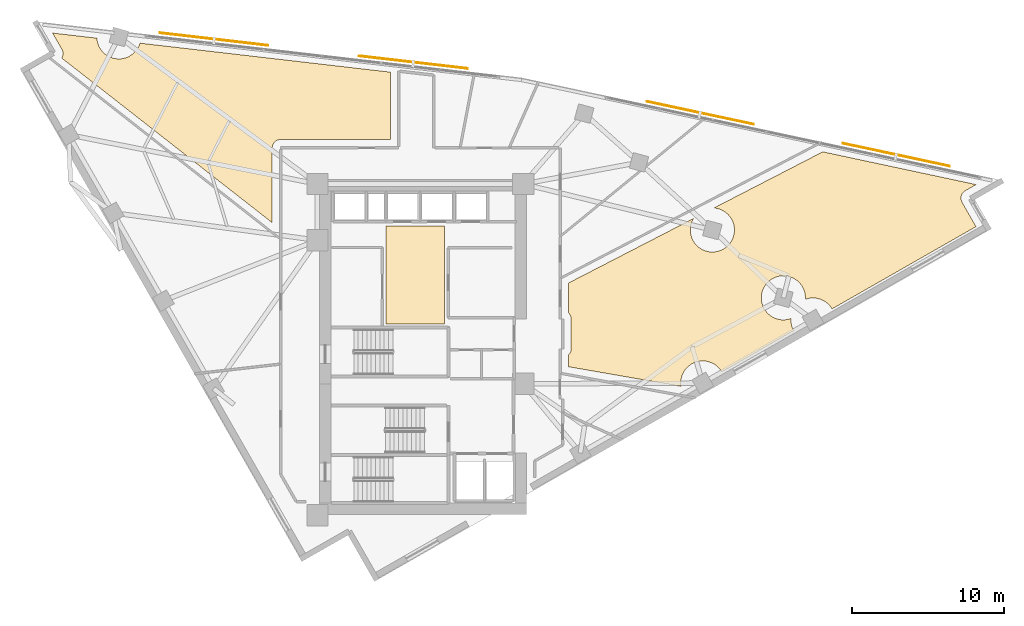
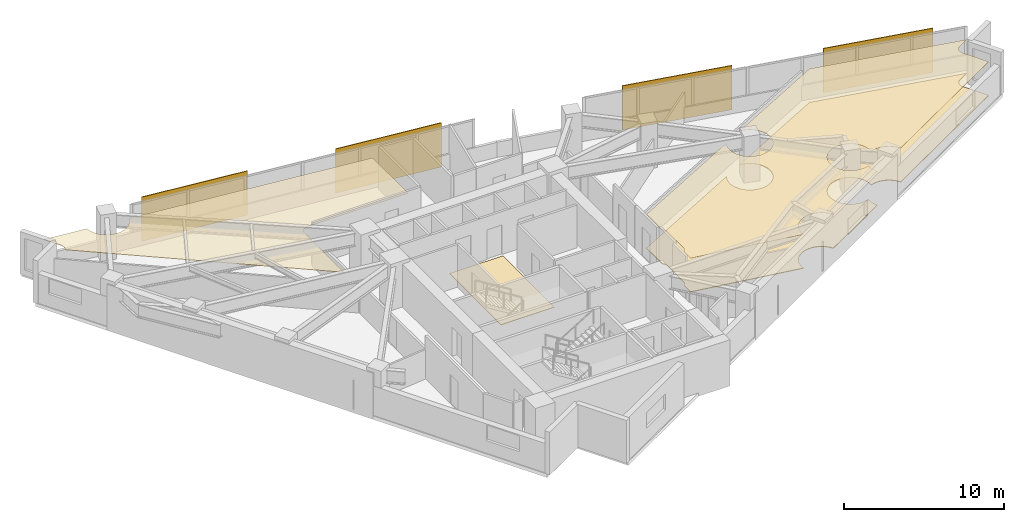
# One storey, part 13 of 13: 4 coverings, 4 shading devices.
"""IFC4 building model written with IfcOpenShell, lengths in metres."""

from ifc_helpers import new_model, si_unit, direction, frame, origin, origin_2d, place, context, subcontext, project, spatial, polyline, rectangle, outline, extrude, material, layer, layer_set, type_object, element, save


model = new_model("IFC4")

# Units and contexts
model_context = context("Model", 3, precision=1e-05, world=origin(), true_north=direction((0.0, 1.0)))
body_context = subcontext(model_context, "Body", "Model", "MODEL_VIEW")
ifc_project = project(units=[si_unit("LENGTHUNIT", "METRE"), si_unit("AREAUNIT", "SQUARE_METRE"), si_unit("VOLUMEUNIT", "CUBIC_METRE"), si_unit("PLANEANGLEUNIT", "RADIAN"), si_unit("MASSUNIT", "GRAM", prefix="KILO")], contexts=[model_context])

# Site, building, storey
site_placement = place(None, origin())
site = spatial("IfcSite", under=ifc_project, at=site_placement, CompositionType="ELEMENT")
building_placement = place(site_placement, origin())
building = spatial("IfcBuilding", under=site, at=building_placement, Name="Narakoshi Arena Tower", CompositionType="ELEMENT")
storey_placement = place(building_placement, frame((0.0, 0.0, 229.06005859375)))
storey = spatial("IfcBuildingStorey", under=building, at=storey_placement, Name="L62", CompositionType="ELEMENT", Elevation=229.06005859375)

# Coverings
ifc_material_1 = material(Name="Acoustic mineral-fibre ceiling tile")
ifc_layer_1 = layer(ifc_material_1, 0.02001953125)
ifc_layer_set_1 = layer_set([ifc_layer_1], Name="Acoustic mineral-fibre ceiling tile")
covering_type_1 = type_object("IfcCoveringType", Name="COV-CLG-AC20", PredefinedType="CEILING", material=ifc_layer_set_1)
covering_1_placement = place(storey_placement, frame((0.0, 0.0, 2.58984375)))
element("IfcCovering", 1, at=covering_1_placement, inside=storey, type_object=covering_type_1, Name="L62 Suspended Acoustic Ceiling 1", PredefinedType="CEILING", context=body_context, shape_type="SweptSolid", body=[
    extrude(outline(polyline([(88.538818359375, 45.260986328125), (88.5751953125, 45.301025390625), (88.607421875, 45.344482421875), (88.635009765625, 45.390625), (88.658203125, 45.439453125), (88.67626953125, 45.490234375), (88.689453125, 45.542724609375), (88.697509765625, 45.59619140625), (88.699951171875, 45.64990234375), (88.699951171875, 47.6201171875), (88.697509765625, 47.673828125), (88.689453125, 47.727294921875), (88.67626953125, 47.77978515625), (88.658203125, 47.83056640625), (88.635009765625, 47.87939453125), (88.607421875, 47.925537109375), (88.5751953125, 47.968994140625), (88.538818359375, 48.0087890625), (88.5263671875, 48.020263671875), (88.5263671875, 49.985107421875), (96.764892578125, 54.235107421875), (96.718994140625, 54.15869140625), (96.658203125, 54.030029296875), (96.6103515625, 53.89599609375), (96.57568359375, 53.758056640625), (96.554931640625, 53.6171875), (96.5478515625, 53.47509765625), (96.554931640625, 53.3330078125), (96.57568359375, 53.1923828125), (96.6103515625, 53.05419921875), (96.658203125, 52.92041015625), (96.718994140625, 52.791748046875), (96.792236328125, 52.669677734375), (96.876953125, 52.555419921875), (96.97265625, 52.449951171875), (97.077880859375, 52.354248046875), (97.1923828125, 52.26953125), (97.314453125, 52.1962890625), (97.443115234375, 52.135498046875), (97.576904296875, 52.087646484375), (97.715087890625, 52.052978515625), (97.855712890625, 52.0322265625), (97.997802734375, 52.025146484375), (98.139892578125, 52.0322265625), (98.28076171875, 52.052978515625), (98.418701171875, 52.087646484375), (98.552734375, 52.135498046875), (98.681396484375, 52.1962890625), (98.803466796875, 52.26953125), (98.917724609375, 52.354248046875), (99.023193359375, 52.449951171875), (99.118896484375, 52.555419921875), (99.20361328125, 52.669677734375), (99.276611328125, 52.791748046875), (99.33740234375, 52.92041015625), (99.385498046875, 53.05419921875), (99.419921875, 53.1923828125), (99.44091796875, 53.3330078125), (99.447998046875, 53.47509765625), (99.44091796875, 53.6171875), (99.419921875, 53.758056640625), (99.385498046875, 53.89599609375), (99.33740234375, 54.030029296875), (99.276611328125, 54.15869140625), (99.20361328125, 54.28076171875), (99.118896484375, 54.39501953125), (99.023193359375, 54.50048828125), (98.917724609375, 54.59619140625), (98.803466796875, 54.680908203125), (98.681396484375, 54.75390625), (98.552734375, 54.814697265625), (98.418701171875, 54.86279296875), (98.28076171875, 54.897216796875), (98.139892578125, 54.918212890625), (98.09326171875, 54.92041015625), (105.262939453125, 58.619140625), (115.35791015625, 56.462890625), (114.636962890625, 56.05078125), (114.591552734375, 56.021728515625), (114.549072265625, 55.98828125), (114.510009765625, 55.950927734375), (114.47509765625, 55.909912109375), (114.444091796875, 55.86572265625), (114.417724609375, 55.818603515625), (114.39599609375, 55.769287109375), (114.37939453125, 55.718017578125), (114.36767578125, 55.665283203125), (114.361083984375, 55.61181640625), (114.360107421875, 55.5576171875), (114.3642578125, 55.50390625), (114.373779296875, 55.45068359375), (114.38818359375, 55.398681640625), (114.407958984375, 55.348388671875), (114.432373046875, 55.30029296875), (115.35009765625, 53.694580078125), (105.872314453125, 48.27734375), (105.825439453125, 48.355712890625), (105.74072265625, 48.469970703125), (105.64501953125, 48.5751953125), (105.539794921875, 48.6708984375), (105.42529296875, 48.755615234375), (105.30322265625, 48.828857421875), (105.1748046875, 48.8896484375), (105.040771484375, 48.9375), (104.902587890625, 48.97216796875), (104.761962890625, 48.992919921875), (104.619873046875, 49.0), (104.477783203125, 48.992919921875), (104.3369140625, 48.97216796875), (104.198974609375, 48.9375), (104.11376953125, 48.906982421875), (104.118896484375, 49.009521484375), (104.11181640625, 49.151611328125), (104.0908203125, 49.29248046875), (104.056396484375, 49.430419921875), (104.00830078125, 49.564453125), (103.947509765625, 49.693115234375), (103.87451171875, 49.815185546875), (103.789794921875, 49.929443359375), (103.694091796875, 50.034912109375), (103.588623046875, 50.13037109375), (103.474365234375, 50.215087890625), (103.352294921875, 50.288330078125), (103.2236328125, 50.34912109375), (103.089599609375, 50.397216796875), (102.95166015625, 50.431640625), (102.810791015625, 50.452392578125), (102.668701171875, 50.45947265625), (102.526611328125, 50.452392578125), (102.385986328125, 50.431640625), (102.247802734375, 50.397216796875), (102.114013671875, 50.34912109375), (101.9853515625, 50.288330078125), (101.86328125, 50.215087890625), (101.748779296875, 50.13037109375), (101.6435546875, 50.034912109375), (101.5478515625, 49.929443359375), (101.463134765625, 49.815185546875), (101.389892578125, 49.693115234375), (101.3291015625, 49.564453125), (101.28125, 49.430419921875), (101.24658203125, 49.29248046875), (101.225830078125, 49.151611328125), (101.21875, 49.009521484375), (101.225830078125, 48.867431640625), (101.24658203125, 48.7265625), (101.28125, 48.588623046875), (101.3291015625, 48.45458984375), (101.389892578125, 48.325927734375), (101.463134765625, 48.203857421875), (101.5478515625, 48.089599609375), (101.6435546875, 47.984130859375), (101.748779296875, 47.888671875), (101.86328125, 47.803955078125), (101.9853515625, 47.730712890625), (102.114013671875, 47.669921875), (102.247802734375, 47.621826171875), (102.385986328125, 47.58740234375), (102.526611328125, 47.56640625), (102.668701171875, 47.5595703125), (102.810791015625, 47.56640625), (102.95166015625, 47.58740234375), (103.089599609375, 47.621826171875), (103.1748046875, 47.65234375), (103.169921875, 47.550048828125), (103.1767578125, 47.407958984375), (103.19775390625, 47.26708984375), (103.232177734375, 47.129150390625), (103.2802734375, 46.9951171875), (103.341064453125, 46.866455078125), (103.35693359375, 46.83984375), (98.619384765625, 44.132080078125), (98.572509765625, 44.210205078125), (98.48779296875, 44.324462890625), (98.39208984375, 44.429931640625), (98.286865234375, 44.525390625), (98.172607421875, 44.610107421875), (98.05029296875, 44.683349609375), (97.921875, 44.744140625), (97.787841796875, 44.792236328125), (97.64990234375, 44.82666015625), (97.509033203125, 44.84765625), (97.366943359375, 44.8544921875), (97.224853515625, 44.84765625), (97.083984375, 44.82666015625), (96.946044921875, 44.792236328125), (96.81201171875, 44.744140625), (96.683349609375, 44.683349609375), (96.561279296875, 44.610107421875), (96.447021484375, 44.525390625), (96.341552734375, 44.429931640625), (96.24609375, 44.324462890625), (96.161376953125, 44.210205078125), (96.088134765625, 44.088134765625), (96.02734375, 43.95947265625), (95.979248046875, 43.825439453125), (95.94482421875, 43.6875), (95.923828125, 43.546630859375), (95.9169921875, 43.404541015625), (95.923828125, 43.262451171875), (95.935791015625, 43.1826171875), (88.5263671875, 44.474609375), (88.5263671875, 45.249755859375), (88.538818359375, 45.260986328125)])), origin(), (0.0, 0.0, 1.0), 0.02001953125),
])
ifc_material_2 = material(Name="Slatted oak acoustic timber baffle", Category="wood")
ifc_layer_2 = layer(ifc_material_2, 0.034912109375)
ifc_layer_set_2 = layer_set([ifc_layer_2], Name="Slatted oak acoustic timber baffle")
covering_type_2 = type_object("IfcCoveringType", Name="COV-CLG-WD35", PredefinedType="CEILING", material=ifc_layer_set_2)
covering_2_placement = place(storey_placement, frame((0.0, 0.0, 2.574951171875)))
element("IfcCovering", 2, at=covering_2_placement, inside=storey, type_object=covering_type_2, Name="L62 Suspended Acoustic Ceiling 2", PredefinedType="CEILING", context=body_context, shape_type="SweptSolid", body=[
    extrude(outline(polyline([(55.174072265625, 64.80029296875), (55.200439453125, 64.847412109375), (55.22216796875, 64.89697265625), (55.23876953125, 64.9482421875), (55.25048828125, 65.0009765625), (55.2568359375, 65.054443359375), (55.258056640625, 65.1083984375), (55.25390625, 65.162353515625), (55.244384765625, 65.215576171875), (55.229736328125, 65.267333984375), (55.210205078125, 65.317626953125), (55.185791015625, 65.36572265625), (54.573486328125, 66.43701171875), (57.48828125, 66.099609375), (57.4912109375, 66.041748046875), (57.51220703125, 65.90087890625), (57.546630859375, 65.762939453125), (57.5947265625, 65.62890625), (57.655517578125, 65.500244140625), (57.728759765625, 65.378173828125), (57.8134765625, 65.263916015625), (57.908935546875, 65.158447265625), (58.014404296875, 65.06298828125), (58.128662109375, 64.978271484375), (58.250732421875, 64.905029296875), (58.37939453125, 64.84423828125), (58.513427734375, 64.796142578125), (58.6513671875, 64.76171875), (58.792236328125, 64.74072265625), (58.934326171875, 64.73388671875), (59.076416015625, 64.74072265625), (59.21728515625, 64.76171875), (59.355224609375, 64.796142578125), (59.4892578125, 64.84423828125), (59.617919921875, 64.905029296875), (59.739990234375, 64.978271484375), (59.854248046875, 65.06298828125), (59.959716796875, 65.158447265625), (60.05517578125, 65.263916015625), (60.139892578125, 65.378173828125), (60.213134765625, 65.500244140625), (60.27392578125, 65.62890625), (60.322021484375, 65.762939453125), (60.323974609375, 65.771240234375), (76.800048828125, 63.86376953125), (76.800048828125, 59.426513671875), (69.573486328125, 59.426513671875), (69.519775390625, 59.423828125), (69.46630859375, 59.415771484375), (69.413818359375, 59.402587890625), (69.363037109375, 59.384521484375), (69.314208984375, 59.361572265625), (69.26806640625, 59.333740234375), (69.224609375, 59.301513671875), (69.184814453125, 59.265380859375), (69.1484375, 59.225341796875), (69.1162109375, 59.181884765625), (69.08837890625, 59.1357421875), (69.0654296875, 59.0869140625), (69.04736328125, 59.0361328125), (69.0341796875, 58.983642578125), (69.026123046875, 58.930419921875), (69.023681640625, 58.87646484375), (69.023681640625, 53.95751953125), (55.16748046875, 64.791259765625), (55.174072265625, 64.80029296875)])), origin(), (0.0, 0.0, 1.0), 0.034912109375),
])
ifc_material_3 = material(Name="Raised steel access floor panel", Category="steel")
ifc_layer_3 = layer(ifc_material_3, 0.044921875)
ifc_layer_set_3 = layer_set([ifc_layer_3], Name="Raised steel access floor panel")
covering_type_3 = type_object("IfcCoveringType", Name="COV-FLR-RF45", PredefinedType="FLOORING", material=ifc_layer_set_3)
covering_3_placement = place(storey_placement, origin())
element("IfcCovering", 3, at=covering_3_placement, inside=storey, type_object=covering_type_3, Name="L62 Raised Steel Access Floor", PredefinedType="FLOORING", context=body_context, shape_type="SweptSolid", body=[
    extrude(outline(polyline([(88.538818359375, 45.260986328125), (88.5751953125, 45.301025390625), (88.607421875, 45.344482421875), (88.635009765625, 45.390625), (88.658203125, 45.439453125), (88.67626953125, 45.490234375), (88.689453125, 45.542724609375), (88.697509765625, 45.59619140625), (88.699951171875, 45.64990234375), (88.699951171875, 47.6201171875), (88.697509765625, 47.673828125), (88.689453125, 47.727294921875), (88.67626953125, 47.77978515625), (88.658203125, 47.83056640625), (88.635009765625, 47.87939453125), (88.607421875, 47.925537109375), (88.5751953125, 47.968994140625), (88.538818359375, 48.0087890625), (88.5263671875, 48.020263671875), (88.5263671875, 49.985107421875), (96.764892578125, 54.235107421875), (96.718994140625, 54.15869140625), (96.658203125, 54.030029296875), (96.6103515625, 53.89599609375), (96.57568359375, 53.758056640625), (96.554931640625, 53.6171875), (96.5478515625, 53.47509765625), (96.554931640625, 53.3330078125), (96.57568359375, 53.1923828125), (96.6103515625, 53.05419921875), (96.658203125, 52.92041015625), (96.718994140625, 52.791748046875), (96.792236328125, 52.669677734375), (96.876953125, 52.555419921875), (96.97265625, 52.449951171875), (97.077880859375, 52.354248046875), (97.1923828125, 52.26953125), (97.314453125, 52.1962890625), (97.443115234375, 52.135498046875), (97.576904296875, 52.087646484375), (97.715087890625, 52.052978515625), (97.855712890625, 52.0322265625), (97.997802734375, 52.025146484375), (98.139892578125, 52.0322265625), (98.28076171875, 52.052978515625), (98.418701171875, 52.087646484375), (98.552734375, 52.135498046875), (98.681396484375, 52.1962890625), (98.803466796875, 52.26953125), (98.917724609375, 52.354248046875), (99.023193359375, 52.449951171875), (99.118896484375, 52.555419921875), (99.20361328125, 52.669677734375), (99.276611328125, 52.791748046875), (99.33740234375, 52.92041015625), (99.385498046875, 53.05419921875), (99.419921875, 53.1923828125), (99.44091796875, 53.3330078125), (99.447998046875, 53.47509765625), (99.44091796875, 53.6171875), (99.419921875, 53.758056640625), (99.385498046875, 53.89599609375), (99.33740234375, 54.030029296875), (99.276611328125, 54.15869140625), (99.20361328125, 54.28076171875), (99.118896484375, 54.39501953125), (99.023193359375, 54.50048828125), (98.917724609375, 54.59619140625), (98.803466796875, 54.680908203125), (98.681396484375, 54.75390625), (98.552734375, 54.814697265625), (98.418701171875, 54.86279296875), (98.28076171875, 54.897216796875), (98.139892578125, 54.918212890625), (98.09326171875, 54.92041015625), (105.262939453125, 58.619140625), (115.35791015625, 56.462890625), (114.636962890625, 56.05078125), (114.591552734375, 56.021728515625), (114.549072265625, 55.98828125), (114.510009765625, 55.950927734375), (114.47509765625, 55.909912109375), (114.444091796875, 55.86572265625), (114.417724609375, 55.818603515625), (114.39599609375, 55.769287109375), (114.37939453125, 55.718017578125), (114.36767578125, 55.665283203125), (114.361083984375, 55.61181640625), (114.360107421875, 55.5576171875), (114.3642578125, 55.50390625), (114.373779296875, 55.45068359375), (114.38818359375, 55.398681640625), (114.407958984375, 55.348388671875), (114.432373046875, 55.30029296875), (115.35009765625, 53.694580078125), (105.872314453125, 48.27734375), (105.825439453125, 48.355712890625), (105.74072265625, 48.469970703125), (105.64501953125, 48.5751953125), (105.539794921875, 48.6708984375), (105.42529296875, 48.755615234375), (105.30322265625, 48.828857421875), (105.1748046875, 48.8896484375), (105.040771484375, 48.9375), (104.902587890625, 48.97216796875), (104.761962890625, 48.992919921875), (104.619873046875, 49.0), (104.477783203125, 48.992919921875), (104.3369140625, 48.97216796875), (104.198974609375, 48.9375), (104.11376953125, 48.906982421875), (104.118896484375, 49.009521484375), (104.11181640625, 49.151611328125), (104.0908203125, 49.29248046875), (104.056396484375, 49.430419921875), (104.00830078125, 49.564453125), (103.947509765625, 49.693115234375), (103.87451171875, 49.815185546875), (103.789794921875, 49.929443359375), (103.694091796875, 50.034912109375), (103.588623046875, 50.13037109375), (103.474365234375, 50.215087890625), (103.352294921875, 50.288330078125), (103.2236328125, 50.34912109375), (103.089599609375, 50.397216796875), (102.95166015625, 50.431640625), (102.810791015625, 50.452392578125), (102.668701171875, 50.45947265625), (102.526611328125, 50.452392578125), (102.385986328125, 50.431640625), (102.247802734375, 50.397216796875), (102.114013671875, 50.34912109375), (101.9853515625, 50.288330078125), (101.86328125, 50.215087890625), (101.748779296875, 50.13037109375), (101.6435546875, 50.034912109375), (101.5478515625, 49.929443359375), (101.463134765625, 49.815185546875), (101.389892578125, 49.693115234375), (101.3291015625, 49.564453125), (101.28125, 49.430419921875), (101.24658203125, 49.29248046875), (101.225830078125, 49.151611328125), (101.21875, 49.009521484375), (101.225830078125, 48.867431640625), (101.24658203125, 48.7265625), (101.28125, 48.588623046875), (101.3291015625, 48.45458984375), (101.389892578125, 48.325927734375), (101.463134765625, 48.203857421875), (101.5478515625, 48.089599609375), (101.6435546875, 47.984130859375), (101.748779296875, 47.888671875), (101.86328125, 47.803955078125), (101.9853515625, 47.730712890625), (102.114013671875, 47.669921875), (102.247802734375, 47.621826171875), (102.385986328125, 47.58740234375), (102.526611328125, 47.56640625), (102.668701171875, 47.5595703125), (102.810791015625, 47.56640625), (102.95166015625, 47.58740234375), (103.089599609375, 47.621826171875), (103.1748046875, 47.65234375), (103.169921875, 47.550048828125), (103.1767578125, 47.407958984375), (103.19775390625, 47.26708984375), (103.232177734375, 47.129150390625), (103.2802734375, 46.9951171875), (103.341064453125, 46.866455078125), (103.35693359375, 46.83984375), (98.619384765625, 44.132080078125), (98.572509765625, 44.210205078125), (98.48779296875, 44.324462890625), (98.39208984375, 44.429931640625), (98.286865234375, 44.525390625), (98.172607421875, 44.610107421875), (98.05029296875, 44.683349609375), (97.921875, 44.744140625), (97.787841796875, 44.792236328125), (97.64990234375, 44.82666015625), (97.509033203125, 44.84765625), (97.366943359375, 44.8544921875), (97.224853515625, 44.84765625), (97.083984375, 44.82666015625), (96.946044921875, 44.792236328125), (96.81201171875, 44.744140625), (96.683349609375, 44.683349609375), (96.561279296875, 44.610107421875), (96.447021484375, 44.525390625), (96.341552734375, 44.429931640625), (96.24609375, 44.324462890625), (96.161376953125, 44.210205078125), (96.088134765625, 44.088134765625), (96.02734375, 43.95947265625), (95.979248046875, 43.825439453125), (95.94482421875, 43.6875), (95.923828125, 43.546630859375), (95.9169921875, 43.404541015625), (95.923828125, 43.262451171875), (95.935791015625, 43.1826171875), (88.5263671875, 44.474609375), (88.5263671875, 45.249755859375), (88.538818359375, 45.260986328125)])), origin(), (0.0, 0.0, 1.0), 0.044921875),
])
ifc_material_4 = material(Name="Honed granite stone paving", Category="masonry")
ifc_layer_4 = layer(ifc_material_4, 0.030029296875)
ifc_layer_set_4 = layer_set([ifc_layer_4], Name="Honed granite stone paving")
covering_type_4 = type_object("IfcCoveringType", Name="COV-FLR-ST30", PredefinedType="FLOORING", material=ifc_layer_set_4)
covering_4_placement = place(storey_placement, origin())
element("IfcCovering", 4, at=covering_4_placement, inside=storey, type_object=covering_type_4, Name="L62 Lift Lobby Granite Flooring", PredefinedType="FLOORING", context=body_context, shape_type="SweptSolid", body=[
    extrude(outline(polyline([(76.5, 47.300048828125), (80.35009765625, 47.300048828125), (80.35009765625, 53.75), (76.5, 53.75), (76.5, 47.300048828125)])), origin(), (0.0, 0.0, 1.0), 0.030029296875),
])

# Shading devices
ifc_material_5 = material(Name="Perforated bronze ceramic-metal composite")
ifc_layer_5 = layer(ifc_material_5, 0.06005859375)
ifc_layer_set_5 = layer_set([ifc_layer_5], Name="Perforated bronze ceramic-metal composite")
shading_device_type = type_object("IfcShadingDeviceType", Name="SHD-SCR-BRZ2", PredefinedType="USERDEFINED", material=ifc_layer_set_5)
for number, where, z_axis, x_axis, name in (
    (5, (110.10107421875, 58.42431640625, 0.0), (0.0, 0.0, 1.0), (-0.977936632473, 0.208901754101, 0.0), "L62 Perforated Bronze Solar Screen 1-1"),
    (6, (97.1923828125, 61.181640625, 0.0), (0.0, 0.0, 1.0), (-0.977936632473, 0.208901754101, 0.0), "L62 Perforated Bronze Solar Screen 1-2"),
    (7, (78.312255859375, 64.513916015625, 0.0), (0.0, 0.0, 1.0), (-0.993364739053, 0.115006500715, 0.0), "L62 Perforated Bronze Solar Screen 2-1"),
    (8, (65.199951171875, 66.031982421875, 0.0), (0.0, 0.0, 1.0), (-0.993364739053, 0.115006500715, 0.0), "L62 Perforated Bronze Solar Screen 2-2"),
):
    element("IfcShadingDevice", number, at=place(storey_placement, frame(where, z_axis=z_axis, x_axis=x_axis)), inside=storey, type_object=shading_device_type, Name=name, ObjectType="SOLAR SCREEN", PredefinedType="USERDEFINED", context=body_context, shape_type="SweptSolid", body=[
        extrude(rectangle(XDim=7.199951171875, YDim=0.06005859375, at=origin_2d()), origin(), (0.0, 0.0, 1.0), 3.3701171875),
    ])

save(model, "model.ifc")
